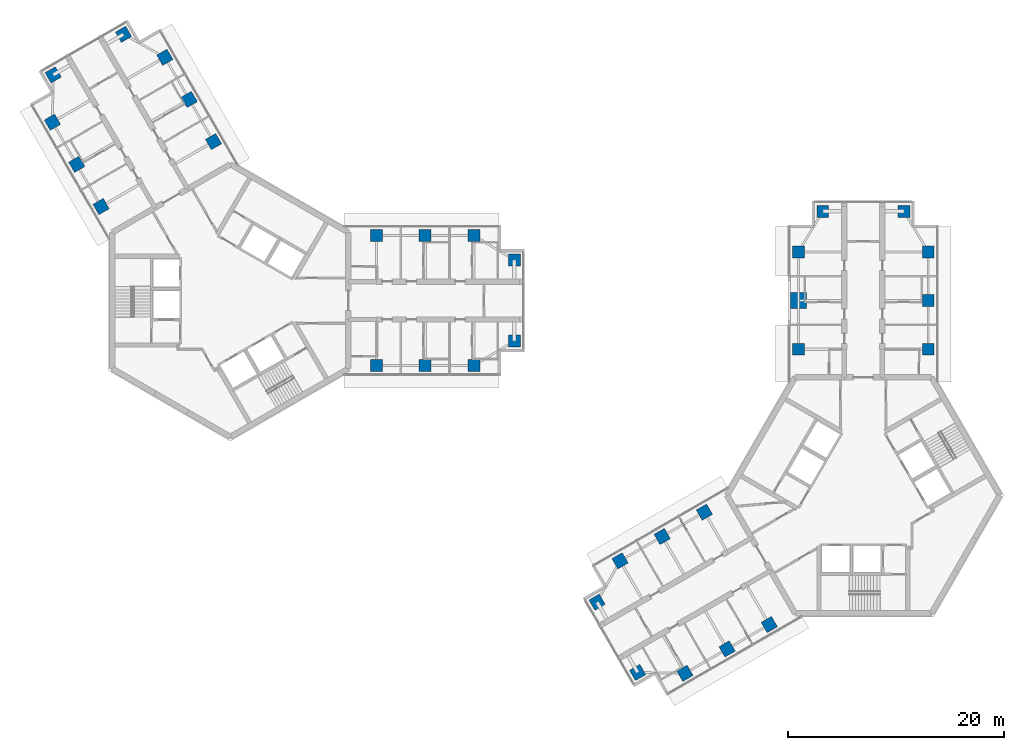
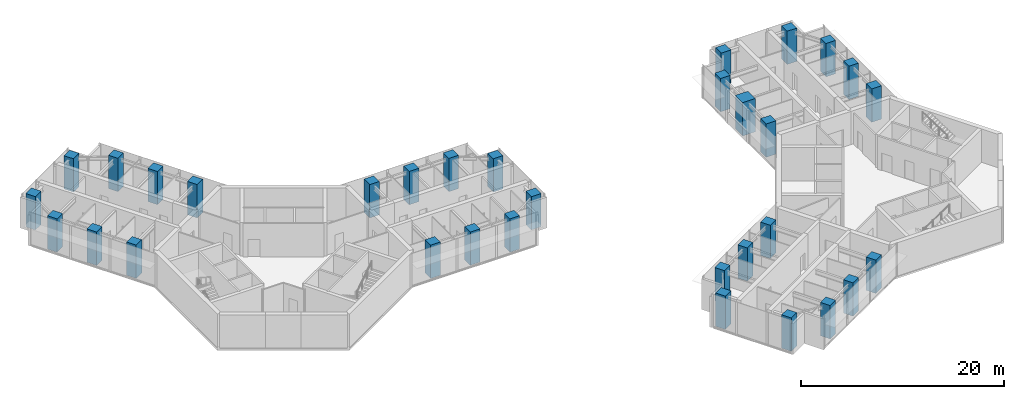
# One storey, part 1 of 17: 32 columns.
"""IFC4 building model written with IfcOpenShell, lengths in metres."""

from ifc_helpers import new_model, si_unit, direction, frame, origin, origin_2d, place, context, subcontext, project, spatial, rectangle, extrude, material, material_profile, profile_set, type_object, element, save


model = new_model("IFC4")

# Units and contexts
model_context = context("Model", 3, precision=1e-05, world=origin(), true_north=direction((0.0, 1.0)))
body_context = subcontext(model_context, "Body", "Model", "MODEL_VIEW")
ifc_project = project(units=[si_unit("LENGTHUNIT", "METRE"), si_unit("AREAUNIT", "SQUARE_METRE"), si_unit("VOLUMEUNIT", "CUBIC_METRE"), si_unit("PLANEANGLEUNIT", "RADIAN"), si_unit("MASSUNIT", "GRAM", prefix="KILO")], contexts=[model_context])

# Site, building, storey
site_placement = place(None, origin())
site = spatial("IfcSite", under=ifc_project, at=site_placement, CompositionType="ELEMENT")
building_placement = place(site_placement, origin())
building = spatial("IfcBuilding", under=site, at=building_placement, Name="Upepo Twin Towers", CompositionType="ELEMENT")
storey_placement = place(building_placement, frame((0.0, 0.0, 234.5)))
storey = spatial("IfcBuildingStorey", under=building, at=storey_placement, Name="L57", CompositionType="ELEMENT", Elevation=234.5)

# Columns
ifc_material_1 = material(Name="Concrete C60/75", Category="concrete")
ifc_material_profile_1 = material_profile(ifc_material_1, rectangle(XDim=1.10009765625, YDim=1.10009765625, at=origin_2d()), Name="RC 1100x1100")
ifc_profile_set_1 = profile_set([ifc_material_profile_1], Name="Concrete C60/75")
column_type_1 = type_object("IfcColumnType", Name="Tower column RC 1100x1100", PredefinedType="COLUMN", material=ifc_profile_set_1)
for number, where, z_axis, x_axis, name in (
    (1, (13.5, 6.0, 0.0), (0.0, 0.0, 1.0), (1.0, 0.0, 0.0), "T1 column AL135"),
    (2, (13.5, -6.0, 0.0), (0.0, 0.0, 1.0), (1.0, 0.0, 0.0), "T1 column AR135"),
    (3, (18.0, 6.0, 0.0), (0.0, 0.0, 1.0), (1.0, 0.0, 0.0), "T1 column AL180"),
    (4, (18.0, -6.0, 0.0), (0.0, 0.0, 1.0), (1.0, 0.0, 0.0), "T1 column AR180"),
    (5, (22.5, 6.0, 0.0), (0.0, 0.0, 1.0), (1.0, 0.0, 0.0), "T1 column AL225"),
    (6, (22.5, -6.0, 0.0), (0.0, 0.0, 1.0), (1.0, 0.0, 0.0), "T1 column AR225"),
    (7, (26.25, 3.75, 0.0), (0.0, 0.0, 1.0), (1.0, 0.0, 0.0), "T1 column ALN"),
    (8, (26.25, -3.75, 0.0), (0.0, 0.0, 1.0), (1.0, 0.0, 0.0), "T1 column ARN"),
    (9, (-11.946044921875, 8.69140625, 0.0), (0.0, 0.0, 1.0), (0.866025403784, 0.5, 0.0), "T1 column BL135"),
    (10, (-1.553955078125, 14.69140625, 0.0), (0.0, 0.0, 1.0), (0.866025403784, 0.5, 0.0), "T1 column BR135"),
    (11, (-14.196044921875, 12.58837890625, 0.0), (0.0, 0.0, 1.0), (0.866025403784, 0.5, 0.0), "T1 column BL180"),
    (12, (-3.803955078125, 18.58837890625, 0.0), (0.0, 0.0, 1.0), (0.866025403784, 0.5, 0.0), "T1 column BR180"),
    (13, (-16.446044921875, 16.485595703125, 0.0), (0.0, 0.0, 1.0), (0.866025403784, 0.5, 0.0), "T1 column BL225"),
    (14, (-6.053955078125, 22.485595703125, 0.0), (0.0, 0.0, 1.0), (0.866025403784, 0.5, 0.0), "T1 column BR225"),
    (15, (-16.37255859375, 20.858154296875, 0.0), (0.0, 0.0, 1.0), (0.866025403784, 0.5, 0.0), "T1 column BLN"),
    (16, (-9.87744140625, 24.608154296875, 0.0), (0.0, 0.0, 1.0), (0.866025403784, 0.5, 0.0), "T1 column BRN"),
    (17, (52.5, -4.5, 0.0), (0.0, 0.0, 1.0), (1.0, 0.0, 0.0), "T2 column AL135"),
    (18, (64.5, -4.5, 0.0), (0.0, 0.0, 1.0), (1.0, 0.0, 0.0), "T2 column AR135"),
    (19, (64.5, 0.0, 0.0), (0.0, 0.0, 1.0), (1.0, 0.0, 0.0), "T2 column AR180"),
    (20, (52.5, 4.5, 0.0), (0.0, 0.0, 1.0), (1.0, 0.0, 0.0), "T2 column AL225"),
    (21, (64.5, 4.5, 0.0), (0.0, 0.0, 1.0), (1.0, 0.0, 0.0), "T2 column AR225"),
    (22, (54.75, 8.25, 0.0), (0.0, 0.0, 1.0), (1.0, 0.0, 0.0), "T2 column ALN"),
    (23, (62.25, 8.25, 0.0), (0.0, 0.0, 1.0), (1.0, 0.0, 0.0), "T2 column ARN"),
    (24, (49.80859375, -29.946044921875, 0.0), (0.0, 0.0, 1.0), (0.866025403784, 0.5, 0.0), "T2 column BL135"),
    (25, (43.80859375, -19.553955078125, 0.0), (0.0, 0.0, 1.0), (0.866025403784, 0.5, 0.0), "T2 column BR135"),
    (26, (45.91162109375, -32.196044921875, 0.0), (0.0, 0.0, 1.0), (0.866025403784, 0.5, 0.0), "T2 column BL180"),
    (27, (39.91162109375, -21.803955078125, 0.0), (0.0, 0.0, 1.0), (0.866025403784, 0.5, 0.0), "T2 column BR180"),
    (28, (42.014404296875, -34.446044921875, 0.0), (0.0, 0.0, 1.0), (0.866025403784, 0.5, 0.0), "T2 column BL225"),
    (29, (36.014404296875, -24.053955078125, 0.0), (0.0, 0.0, 1.0), (0.866025403784, 0.5, 0.0), "T2 column BR225"),
    (30, (37.641845703125, -34.37255859375, 0.0), (0.0, 0.0, 1.0), (0.866025403784, 0.5, 0.0), "T2 column BLN"),
    (31, (33.891845703125, -27.87744140625, 0.0), (0.0, 0.0, 1.0), (0.866025403784, 0.5, 0.0), "T2 column BRN"),
):
    element("IfcColumn", number, at=place(storey_placement, frame(where, z_axis=z_axis, x_axis=x_axis)), inside=storey, type_object=column_type_1, Name=name, PredefinedType="COLUMN", context=body_context, shape_type="SweptSolid", body=[
        extrude(rectangle(XDim=1.10009765625, YDim=1.10009765625, at=origin_2d()), origin(), (0.0, 0.0, 1.0), 4.0),
    ])
ifc_material_2 = material(Name="Concrete C60/75", Category="concrete")
ifc_material_profile_2 = material_profile(ifc_material_2, rectangle(XDim=1.449951171875, YDim=1.449951171875, at=origin_2d()), Name="RC 1450x1450")
ifc_profile_set_2 = profile_set([ifc_material_profile_2], Name="Concrete C60/75")
column_type_2 = type_object("IfcColumnType", Name="Tower column RC 1450x1450", PredefinedType="COLUMN", material=ifc_profile_set_2)
column_placement = place(storey_placement, frame((52.5, 0.0, 0.0), z_axis=(0.0, 0.0, 1.0), x_axis=(1.0, 0.0, 0.0)))
element("IfcColumn", 32, at=column_placement, inside=storey, type_object=column_type_2, Name="T2 column AL180", PredefinedType="COLUMN", context=body_context, shape_type="SweptSolid", body=[
    extrude(rectangle(XDim=1.449951171875, YDim=1.449951171875, at=origin_2d()), origin(), (0.0, 0.0, 1.0), 4.0),
])

save(model, "model.ifc")
